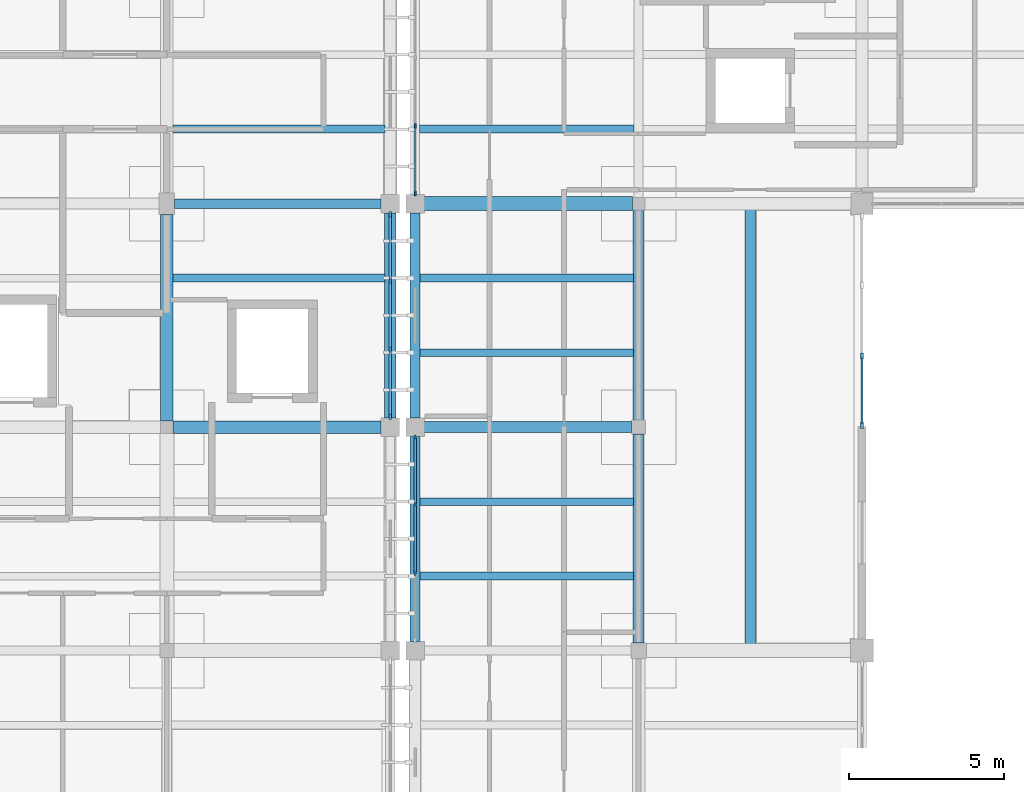
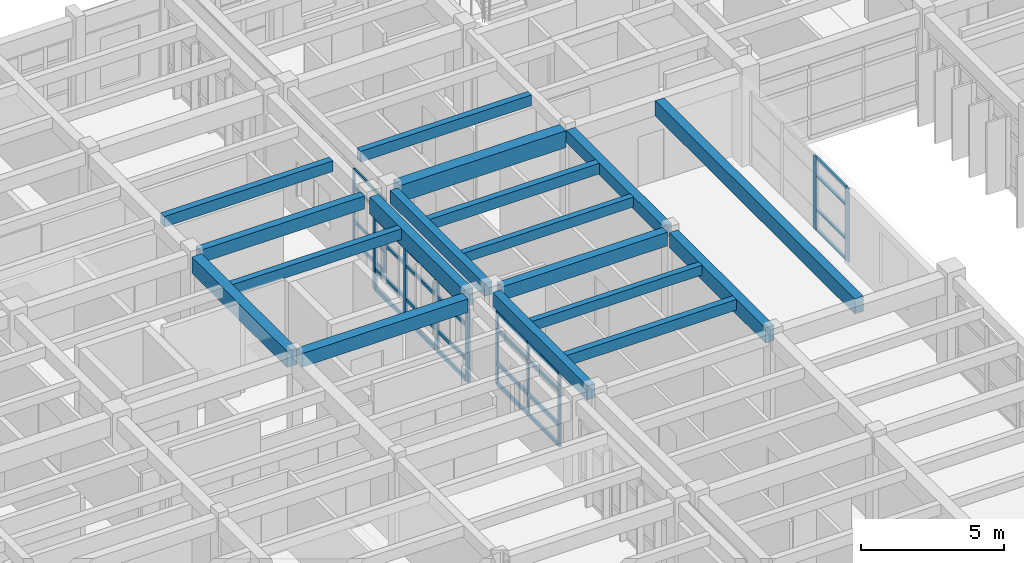
# One storey, part 20 of 100: 39 members, 18 beams, 4 elements without a shape of their own.
"""IFC4 building model written with IfcOpenShell, lengths in metres."""

from ifc_helpers import new_model, si_unit, direction, frame, origin, origin_2d, place, context, subcontext, project, spatial, rectangle, extrude, material, material_profile, profile_set, type_object, element, aggregate, save


model = new_model("IFC4")

# Units and contexts
model_context = context("Model", 3, precision=1e-05, world=origin(), true_north=direction((0.0, 1.0)))
body_context = subcontext(model_context, "Body", "Model", "MODEL_VIEW")
ifc_project = project(units=[si_unit("LENGTHUNIT", "METRE"), si_unit("AREAUNIT", "SQUARE_METRE"), si_unit("VOLUMEUNIT", "CUBIC_METRE"), si_unit("PLANEANGLEUNIT", "RADIAN"), si_unit("MASSUNIT", "GRAM", prefix="KILO")], contexts=[model_context])

# Site, building, storey
site_placement = place(None, origin())
site = spatial("IfcSite", under=ifc_project, at=site_placement, CompositionType="ELEMENT")
building_placement = place(site_placement, origin())
building = spatial("IfcBuilding", under=site, at=building_placement, Name="Steenspoor Specialist Clinic", CompositionType="ELEMENT")
storey_placement = place(building_placement, frame((0.0, 0.0, 9.0)))
storey = spatial("IfcBuildingStorey", under=building, at=storey_placement, Name="L02", CompositionType="ELEMENT", Elevation=9.0)

# Beams
ifc_material_1 = material(Name="Concrete C35/45", Category="concrete")
ifc_material_profile_1 = material_profile(ifc_material_1, rectangle(XDim=0.300048828125, YDim=0.550048828125, at=origin_2d()), Name="RC-BM-300X550")
ifc_profile_set_1 = profile_set([ifc_material_profile_1], Name="Concrete C35/45")
beam_type_1 = type_object("IfcBeamType", Name="BM-RC-300X550", PredefinedType="BEAM", material=ifc_profile_set_1)
beam_1_placement = place(storey_placement, frame((44.64501953125, 93.949951171875, 3.675048828125), z_axis=(1.0, 0.0, 0.0), x_axis=(0.0, 1.0, 0.0)))
element("IfcBeam", 1, at=beam_1_placement, inside=storey, type_object=beam_type_1, Name="BM-V5-L02-X1264", PredefinedType="BEAM", context=body_context, shape_type="SweptSolid", body=[
    extrude(rectangle(XDim=0.300048828125, YDim=0.550048828125, at=origin_2d()), origin(), (0.0, 0.0, 1.0), 6.659912109375),
])
ifc_material_profile_2 = material_profile(ifc_material_1, rectangle(XDim=0.35009765625, YDim=0.52001953125, at=origin_2d()), Name="RC-BM-350X520")
ifc_profile_set_2 = profile_set([ifc_material_profile_2], Name="Concrete C35/45")
beam_type_2 = type_object("IfcBeamType", Name="BM-RC-350X520", PredefinedType="BEAM", material=ifc_profile_set_2)
beam_2_placement = place(storey_placement, frame((59.60009765625, 86.969970703125, 3.68994140625), z_axis=(0.0, 1.0, 0.0), x_axis=(-1.0, 0.0, 0.0)))
element("IfcBeam", 2, at=beam_2_placement, inside=storey, type_object=beam_type_2, Name="BM-V4-L02-Y0694", PredefinedType="BEAM", context=body_context, shape_type="SweptSolid", body=[
    extrude(rectangle(XDim=0.35009765625, YDim=0.52001953125, at=origin_2d()), origin(), (0.0, 0.0, 1.0), 6.784912109375),
])
ifc_material_profile_3 = material_profile(ifc_material_1, rectangle(XDim=0.35009765625, YDim=0.580078125, at=origin_2d()), Name="RC-BM-350X580")
ifc_profile_set_3 = profile_set([ifc_material_profile_3], Name="Concrete C35/45")
beam_type_3 = type_object("IfcBeamType", Name="BM-RC-350X580", PredefinedType="BEAM", material=ifc_profile_set_3)
beam_3_placement = place(storey_placement, frame((52.695068359375, 86.75, 3.659912109375), z_axis=(1.0, 0.0, 0.0), x_axis=(0.0, 1.0, 0.0)))
element("IfcBeam", 3, at=beam_3_placement, inside=storey, type_object=beam_type_3, Name="BM-V4-L02-X0656", PredefinedType="BEAM", context=body_context, shape_type="SweptSolid", body=[
    extrude(rectangle(XDim=0.35009765625, YDim=0.580078125, at=origin_2d()), origin(), (0.0, 0.0, 1.0), 6.684814453125),
])
ifc_material_profile_4 = material_profile(ifc_material_1, rectangle(XDim=0.35009765625, YDim=0.64990234375, at=origin_2d()), Name="RC-BM-350X650")
ifc_profile_set_4 = profile_set([ifc_material_profile_4], Name="Concrete C35/45")
beam_type_4 = type_object("IfcBeamType", Name="BM-RC-350X650", PredefinedType="BEAM", material=ifc_profile_set_4)
beam_4_placement = place(storey_placement, frame((59.60009765625, 79.794921875, 3.625), z_axis=(0.0, 1.0, 0.0), x_axis=(-1.0, 0.0, 0.0)))
element("IfcBeam", 4, at=beam_4_placement, inside=storey, type_object=beam_type_4, Name="BM-V4-L02-Y0693", PredefinedType="BEAM", context=body_context, shape_type="SweptSolid", body=[
    extrude(rectangle(XDim=0.35009765625, YDim=0.64990234375, at=origin_2d()), origin(), (0.0, 0.0, 1.0), 6.735107421875),
])
beam_5_placement = place(storey_placement, frame((63.199951171875, 79.77001953125, 3.625), z_axis=(0.0, 1.0, 0.0), x_axis=(-1.0, 0.0, 0.0)))
element("IfcBeam", 5, at=beam_5_placement, inside=storey, type_object=beam_type_4, Name="JT-V4-L02-0753", PredefinedType="BEAM", context=body_context, shape_type="SweptSolid", body=[
    extrude(rectangle(XDim=0.35009765625, YDim=0.64990234375, at=origin_2d()), origin(), (0.0, 0.0, 1.0), 13.98486328125),
])
ifc_material_profile_5 = material_profile(ifc_material_1, rectangle(XDim=0.39990234375, YDim=0.580078125, at=origin_2d()), Name="RC-BM-400X580")
ifc_profile_set_5 = profile_set([ifc_material_profile_5], Name="Concrete C35/45")
beam_type_5 = type_object("IfcBeamType", Name="BM-RC-400X580", PredefinedType="BEAM", material=ifc_profile_set_5)
beam_6_placement = place(storey_placement, frame((44.594970703125, 86.75, 3.659912109375), z_axis=(1.0, 0.0, 0.0), x_axis=(0.0, 1.0, 0.0)))
element("IfcBeam", 6, at=beam_6_placement, inside=storey, type_object=beam_type_5, Name="BM-V5-L02-X1260", PredefinedType="BEAM", context=body_context, shape_type="SweptSolid", body=[
    extrude(rectangle(XDim=0.39990234375, YDim=0.580078125, at=origin_2d()), origin(), (0.0, 0.0, 1.0), 6.7099609375),
])
ifc_material_profile_6 = material_profile(ifc_material_1, rectangle(XDim=0.39990234375, YDim=0.699951171875, at=origin_2d()), Name="RC-BM-400X700")
ifc_profile_set_6 = profile_set([ifc_material_profile_6], Name="Concrete C35/45")
beam_type_6 = type_object("IfcBeamType", Name="BM-RC-400X700", PredefinedType="BEAM", material=ifc_profile_set_6)
beam_7_placement = place(storey_placement, frame((44.39990234375, 86.945068359375, 3.60009765625), z_axis=(0.0, 1.0, 0.0), x_axis=(-1.0, 0.0, 0.0)))
element("IfcBeam", 7, at=beam_7_placement, inside=storey, type_object=beam_type_6, Name="BM-V5-L02-Y1289", PredefinedType="BEAM", context=body_context, shape_type="SweptSolid", body=[
    extrude(rectangle(XDim=0.39990234375, YDim=0.699951171875, at=origin_2d()), origin(), (0.0, 0.0, 1.0), 6.659912109375),
])
ifc_material_profile_7 = material_profile(ifc_material_1, rectangle(XDim=0.449951171875, YDim=0.719970703125, at=origin_2d()), Name="RC-BM-450X720")
ifc_profile_set_7 = profile_set([ifc_material_profile_7], Name="Concrete C35/45")
beam_type_7 = type_object("IfcBeamType", Name="BM-RC-450X720", PredefinedType="BEAM", material=ifc_profile_set_7)
beam_8_placement = place(storey_placement, frame((52.695068359375, 93.949951171875, 3.590087890625), z_axis=(1.0, 0.0, 0.0), x_axis=(0.0, 1.0, 0.0)))
element("IfcBeam", 8, at=beam_8_placement, inside=storey, type_object=beam_type_7, Name="BM-V4-L02-X0661", PredefinedType="BEAM", context=body_context, shape_type="SweptSolid", body=[
    extrude(rectangle(XDim=0.449951171875, YDim=0.719970703125, at=origin_2d()), origin(), (0.0, 0.0, 1.0), 6.7099609375),
])

# Curtain wall, members
ifc_material_2 = material(Name="Thermally broken aluminium and low-emissivity glass", Category="aluminium")
curtain_wall_type_1 = type_object("IfcCurtainWallType", Name="CW-TYP-650X355", PredefinedType="USERDEFINED", material=ifc_material_2)
curtain_wall_1_placement = place(storey_placement, origin())
curtain_wall_1 = element("IfcCurtainWall", 9, at=curtain_wall_1_placement, inside=storey, type_object=curtain_wall_type_1, Name="Unitised Curtain Wall CW-V4-L02-082", ObjectType="UNITISED GLAZING", PredefinedType="USERDEFINED")
ifc_material_3 = material(Name="Thermally broken aluminium 6063-T6", Category="aluminium")
ifc_material_profile_8 = material_profile(ifc_material_3, rectangle(XDim=0.06005859375, YDim=0.135009765625, at=origin_2d()), Name="CWM-60X135")
ifc_profile_set_8 = profile_set([ifc_material_profile_8], Name="Thermally broken aluminium 6063-T6")
member_type_1 = type_object("IfcMemberType", Name="CW-MULL-60X135", PredefinedType="MULLION", material=ifc_profile_set_8)
member_1_placement = place(storey_placement, frame((52.39990234375, 94.280029296875, 0.0), z_axis=(0.0, 0.0, 1.0), x_axis=(-1.0, 0.0, 0.0)))
member_1 = element("IfcMember", 10, at=member_1_placement, type_object=member_type_1, Name="CW-10 mullion 1", PredefinedType="MULLION", context=body_context, shape_type="SweptSolid", body=[
    extrude(rectangle(XDim=0.06005859375, YDim=0.135009765625, at=origin_2d()), origin(), (0.0, 0.0, 1.0), 3.1298828125),
])
member_2_placement = place(storey_placement, frame((52.39990234375, 96.449951171875, 0.0), z_axis=(0.0, 0.0, 1.0), x_axis=(-1.0, 0.0, 0.0)))
member_2 = element("IfcMember", 11, at=member_2_placement, type_object=member_type_1, Name="CW-10 mullion 2", PredefinedType="MULLION", context=body_context, shape_type="SweptSolid", body=[
    extrude(rectangle(XDim=0.06005859375, YDim=0.135009765625, at=origin_2d()), origin(), (0.0, 0.0, 1.0), 3.1298828125),
])

curtain_wall_type_2 = type_object("IfcCurtainWallType", Name="CW-TYP-660X355", PredefinedType="USERDEFINED", material=ifc_material_2)
curtain_wall_2_placement = place(storey_placement, origin())
curtain_wall_2 = element("IfcCurtainWall", 12, at=curtain_wall_2_placement, inside=storey, type_object=curtain_wall_type_2, Name="Unitised Curtain Wall CW-V4-L02-105", ObjectType="UNITISED GLAZING", PredefinedType="USERDEFINED")
ifc_material_profile_9 = material_profile(ifc_material_3, rectangle(XDim=0.06494140625, YDim=0.14990234375, at=origin_2d()), Name="CWM-65X150")
ifc_profile_set_9 = profile_set([ifc_material_profile_9], Name="Thermally broken aluminium 6063-T6")
member_type_2 = type_object("IfcMemberType", Name="CW-MULL-65X150", PredefinedType="MULLION", material=ifc_profile_set_9)
member_3_placement = place(storey_placement, frame((52.39990234375, 82.050048828125, 0.0), z_axis=(0.0, 0.0, 1.0), x_axis=(-1.0, 0.0, 0.0)))
member_3 = element("IfcMember", 13, at=member_3_placement, type_object=member_type_2, Name="CW-09 mullion 2", PredefinedType="MULLION", context=body_context, shape_type="SweptSolid", body=[
    extrude(rectangle(XDim=0.06494140625, YDim=0.14990234375, at=origin_2d()), origin(), (0.0, 0.0, 1.0), 3.1298828125),
])
member_4_placement = place(storey_placement, frame((52.39990234375, 84.25, 0.0), z_axis=(0.0, 0.0, 1.0), x_axis=(-1.0, 0.0, 0.0)))
member_4 = element("IfcMember", 14, at=member_4_placement, type_object=member_type_2, Name="CW-09 mullion 3", PredefinedType="MULLION", context=body_context, shape_type="SweptSolid", body=[
    extrude(rectangle(XDim=0.06494140625, YDim=0.14990234375, at=origin_2d()), origin(), (0.0, 0.0, 1.0), 3.1298828125),
])
member_5_placement = place(storey_placement, frame((52.39990234375, 86.41748046875, 0.0), z_axis=(0.0, 0.0, 1.0), x_axis=(-1.0, 0.0, 0.0)))
member_5 = element("IfcMember", 15, at=member_5_placement, type_object=member_type_2, Name="CW-09 mullion 4", PredefinedType="MULLION", context=body_context, shape_type="SweptSolid", body=[
    extrude(rectangle(XDim=0.06494140625, YDim=0.14990234375, at=origin_2d()), origin(), (0.0, 0.0, 1.0), 3.1298828125),
])

curtain_wall_type_3 = type_object("IfcCurtainWallType", Name="CW-L00-650X415", PredefinedType="USERDEFINED", material=ifc_material_2)
curtain_wall_3_placement = place(storey_placement, origin())
curtain_wall_3 = element("IfcCurtainWall", 16, at=curtain_wall_3_placement, inside=storey, type_object=curtain_wall_type_3, Name="Unitised Curtain Wall CW-V4-L02-101", ObjectType="UNITISED GLAZING", PredefinedType="USERDEFINED")
ifc_material_profile_10 = material_profile(ifc_material_3, rectangle(XDim=0.090087890625, YDim=0.199951171875, at=origin_2d()), Name="CWM-90X200")
ifc_profile_set_10 = profile_set([ifc_material_profile_10], Name="Thermally broken aluminium 6063-T6")
member_type_3 = type_object("IfcMemberType", Name="CW-MULL-90X200", PredefinedType="MULLION", material=ifc_profile_set_10)
member_6_placement = place(storey_placement, frame((66.800048828125, 89.041748046875, 0.0), z_axis=(0.0, 0.0, 1.0), x_axis=(1.0, 0.0, 0.0)))
member_6 = element("IfcMember", 17, at=member_6_placement, type_object=member_type_3, Name="CW-05 mullion 3", PredefinedType="MULLION", context=body_context, shape_type="SweptSolid", body=[
    extrude(rectangle(XDim=0.090087890625, YDim=0.199951171875, at=origin_2d()), origin(), (0.0, 0.0, 1.0), 3.1298828125),
])
member_7_placement = place(storey_placement, frame((66.800048828125, 86.8076171875, 0.0), z_axis=(0.0, 0.0, 1.0), x_axis=(1.0, 0.0, 0.0)))
member_7 = element("IfcMember", 18, at=member_7_placement, type_object=member_type_3, Name="CW-05 mullion 4", PredefinedType="MULLION", context=body_context, shape_type="SweptSolid", body=[
    extrude(rectangle(XDim=0.090087890625, YDim=0.199951171875, at=origin_2d()), origin(), (0.0, 0.0, 1.0), 3.1298828125),
])

curtain_wall_type_4 = type_object("IfcCurtainWallType", Name="CW-TYP-540X355", PredefinedType="USERDEFINED", material=ifc_material_2)
curtain_wall_4_placement = place(storey_placement, origin())
curtain_wall_4 = element("IfcCurtainWall", 19, at=curtain_wall_4_placement, inside=storey, type_object=curtain_wall_type_4, Name="Unitised Curtain Wall CW-V5-L02-155", ObjectType="UNITISED GLAZING", PredefinedType="USERDEFINED")
member_8_placement = place(storey_placement, frame((51.60009765625, 93.60498046875, 0.0), z_axis=(0.0, 0.0, 1.0), x_axis=(1.0, 0.0, 0.0)))
member_8 = element("IfcMember", 20, at=member_8_placement, type_object=member_type_3, Name="CW-11 mullion 1", PredefinedType="MULLION", context=body_context, shape_type="SweptSolid", body=[
    extrude(rectangle(XDim=0.090087890625, YDim=0.199951171875, at=origin_2d()), origin(), (0.0, 0.0, 1.0), 3.1298828125),
])
member_9_placement = place(storey_placement, frame((51.60009765625, 91.449951171875, 0.0), z_axis=(0.0, 0.0, 1.0), x_axis=(1.0, 0.0, 0.0)))
member_9 = element("IfcMember", 21, at=member_9_placement, type_object=member_type_3, Name="CW-11 mullion 2", PredefinedType="MULLION", context=body_context, shape_type="SweptSolid", body=[
    extrude(rectangle(XDim=0.090087890625, YDim=0.199951171875, at=origin_2d()), origin(), (0.0, 0.0, 1.0), 3.1298828125),
])
member_10_placement = place(storey_placement, frame((51.60009765625, 89.25, 0.0), z_axis=(0.0, 0.0, 1.0), x_axis=(1.0, 0.0, 0.0)))
member_10 = element("IfcMember", 22, at=member_10_placement, type_object=member_type_3, Name="CW-11 mullion 3", PredefinedType="MULLION", context=body_context, shape_type="SweptSolid", body=[
    extrude(rectangle(XDim=0.090087890625, YDim=0.199951171875, at=origin_2d()), origin(), (0.0, 0.0, 1.0), 3.1298828125),
])
member_11_placement = place(storey_placement, frame((51.60009765625, 87.094970703125, 0.0), z_axis=(0.0, 0.0, 1.0), x_axis=(1.0, 0.0, 0.0)))
member_11 = element("IfcMember", 23, at=member_11_placement, type_object=member_type_3, Name="CW-11 mullion 4", PredefinedType="MULLION", context=body_context, shape_type="SweptSolid", body=[
    extrude(rectangle(XDim=0.090087890625, YDim=0.199951171875, at=origin_2d()), origin(), (0.0, 0.0, 1.0), 3.1298828125),
])

# Member
ifc_material_profile_11 = material_profile(ifc_material_3, rectangle(XDim=0.06494140625, YDim=0.1298828125, at=origin_2d()), Name="CWT-65X130")
ifc_profile_set_11 = profile_set([ifc_material_profile_11], Name="Thermally broken aluminium 6063-T6")
member_type_4 = type_object("IfcMemberType", Name="CW-TRAN-65X130", PredefinedType="USERDEFINED", material=ifc_profile_set_11)
member_12_placement = place(storey_placement, frame((52.39990234375, 94.31005859375, 0.032470703125), z_axis=(0.0, 1.0, 0.0), x_axis=(-1.0, 0.0, 0.0)))
member_12 = element("IfcMember", 24, at=member_12_placement, type_object=member_type_4, Name="CW-10 transom 1.1", ObjectType="TRANSOM", PredefinedType="USERDEFINED", context=body_context, shape_type="SweptSolid", body=[
    extrude(rectangle(XDim=0.06494140625, YDim=0.1298828125, at=origin_2d()), origin(), (0.0, 0.0, 1.0), 2.10986328125),
])

member_13_placement = place(storey_placement, frame((52.39990234375, 94.31005859375, 0.89990234375), z_axis=(0.0, 1.0, 0.0), x_axis=(-1.0, 0.0, 0.0)))
member_13 = element("IfcMember", 25, at=member_13_placement, type_object=member_type_4, Name="CW-10 transom 1.2", ObjectType="TRANSOM", PredefinedType="USERDEFINED", context=body_context, shape_type="SweptSolid", body=[
    extrude(rectangle(XDim=0.06494140625, YDim=0.1298828125, at=origin_2d()), origin(), (0.0, 0.0, 1.0), 2.10986328125),
])

member_14_placement = place(storey_placement, frame((52.39990234375, 94.31005859375, 2.35009765625), z_axis=(0.0, 1.0, 0.0), x_axis=(-1.0, 0.0, 0.0)))
member_14 = element("IfcMember", 26, at=member_14_placement, type_object=member_type_4, Name="CW-10 transom 1.3", ObjectType="TRANSOM", PredefinedType="USERDEFINED", context=body_context, shape_type="SweptSolid", body=[
    extrude(rectangle(XDim=0.06494140625, YDim=0.1298828125, at=origin_2d()), origin(), (0.0, 0.0, 1.0), 2.10986328125),
])

member_15_placement = place(storey_placement, frame((52.39990234375, 94.31005859375, 3.097412109375), z_axis=(0.0, 1.0, 0.0), x_axis=(-1.0, 0.0, 0.0)))
member_15 = element("IfcMember", 27, at=member_15_placement, type_object=member_type_4, Name="CW-10 transom 1.4", ObjectType="TRANSOM", PredefinedType="USERDEFINED", context=body_context, shape_type="SweptSolid", body=[
    extrude(rectangle(XDim=0.06494140625, YDim=0.1298828125, at=origin_2d()), origin(), (0.0, 0.0, 1.0), 2.10986328125),
])

aggregate(curtain_wall_1, [member_1, member_2, member_12, member_13, member_14, member_15])

ifc_material_profile_12 = material_profile(ifc_material_3, rectangle(XDim=0.070068359375, YDim=0.14501953125, at=origin_2d()), Name="CWT-70X145")
ifc_profile_set_12 = profile_set([ifc_material_profile_12], Name="Thermally broken aluminium 6063-T6")
member_type_5 = type_object("IfcMemberType", Name="CW-TRAN-70X145", PredefinedType="USERDEFINED", material=ifc_profile_set_12)
member_16_placement = place(storey_placement, frame((66.800048828125, 88.99658203125, 0.034912109375), z_axis=(0.0, -1.0, 0.0), x_axis=(1.0, 0.0, 0.0)))
member_16 = element("IfcMember", 28, at=member_16_placement, type_object=member_type_5, Name="CW-05 transom 3.1", ObjectType="TRANSOM", PredefinedType="USERDEFINED", context=body_context, shape_type="SweptSolid", body=[
    extrude(rectangle(XDim=0.070068359375, YDim=0.14501953125, at=origin_2d()), origin(), (0.0, 0.0, 1.0), 2.14404296875),
])

member_17_placement = place(storey_placement, frame((66.800048828125, 88.99658203125, 0.89990234375), z_axis=(0.0, -1.0, 0.0), x_axis=(1.0, 0.0, 0.0)))
member_17 = element("IfcMember", 29, at=member_17_placement, type_object=member_type_5, Name="CW-05 transom 3.2", ObjectType="TRANSOM", PredefinedType="USERDEFINED", context=body_context, shape_type="SweptSolid", body=[
    extrude(rectangle(XDim=0.070068359375, YDim=0.14501953125, at=origin_2d()), origin(), (0.0, 0.0, 1.0), 2.14404296875),
])

member_18_placement = place(storey_placement, frame((66.800048828125, 88.99658203125, 2.35009765625), z_axis=(0.0, -1.0, 0.0), x_axis=(1.0, 0.0, 0.0)))
member_18 = element("IfcMember", 30, at=member_18_placement, type_object=member_type_5, Name="CW-05 transom 3.3", ObjectType="TRANSOM", PredefinedType="USERDEFINED", context=body_context, shape_type="SweptSolid", body=[
    extrude(rectangle(XDim=0.070068359375, YDim=0.14501953125, at=origin_2d()), origin(), (0.0, 0.0, 1.0), 2.14404296875),
])

member_19_placement = place(storey_placement, frame((66.800048828125, 88.99658203125, 3.094970703125), z_axis=(0.0, -1.0, 0.0), x_axis=(1.0, 0.0, 0.0)))
member_19 = element("IfcMember", 31, at=member_19_placement, type_object=member_type_5, Name="CW-05 transom 3.4", ObjectType="TRANSOM", PredefinedType="USERDEFINED", context=body_context, shape_type="SweptSolid", body=[
    extrude(rectangle(XDim=0.070068359375, YDim=0.14501953125, at=origin_2d()), origin(), (0.0, 0.0, 1.0), 2.14404296875),
])

aggregate(curtain_wall_3, [member_6, member_7, member_16, member_17, member_18, member_19])

ifc_material_profile_13 = material_profile(ifc_material_3, rectangle(XDim=0.080078125, YDim=0.159912109375, at=origin_2d()), Name="CWT-80X160")
ifc_profile_set_13 = profile_set([ifc_material_profile_13], Name="Thermally broken aluminium 6063-T6")
member_type_6 = type_object("IfcMemberType", Name="CW-TRAN-80X160", PredefinedType="USERDEFINED", material=ifc_profile_set_13)
member_20_placement = place(storey_placement, frame((52.39990234375, 82.08251953125, 0.0400390625), z_axis=(0.0, 1.0, 0.0), x_axis=(-1.0, 0.0, 0.0)))
member_20 = element("IfcMember", 32, at=member_20_placement, type_object=member_type_6, Name="CW-09 transom 2.1", ObjectType="TRANSOM", PredefinedType="USERDEFINED", context=body_context, shape_type="SweptSolid", body=[
    extrude(rectangle(XDim=0.080078125, YDim=0.159912109375, at=origin_2d()), origin(), (0.0, 0.0, 1.0), 2.135009765625),
])

member_21_placement = place(storey_placement, frame((52.39990234375, 82.08251953125, 0.89990234375), z_axis=(0.0, 1.0, 0.0), x_axis=(-1.0, 0.0, 0.0)))
member_21 = element("IfcMember", 33, at=member_21_placement, type_object=member_type_6, Name="CW-09 transom 2.2", ObjectType="TRANSOM", PredefinedType="USERDEFINED", context=body_context, shape_type="SweptSolid", body=[
    extrude(rectangle(XDim=0.080078125, YDim=0.159912109375, at=origin_2d()), origin(), (0.0, 0.0, 1.0), 2.135009765625),
])

member_22_placement = place(storey_placement, frame((52.39990234375, 82.08251953125, 2.35009765625), z_axis=(0.0, 1.0, 0.0), x_axis=(-1.0, 0.0, 0.0)))
member_22 = element("IfcMember", 34, at=member_22_placement, type_object=member_type_6, Name="CW-09 transom 2.3", ObjectType="TRANSOM", PredefinedType="USERDEFINED", context=body_context, shape_type="SweptSolid", body=[
    extrude(rectangle(XDim=0.080078125, YDim=0.159912109375, at=origin_2d()), origin(), (0.0, 0.0, 1.0), 2.135009765625),
])

member_23_placement = place(storey_placement, frame((52.39990234375, 82.08251953125, 3.090087890625), z_axis=(0.0, 1.0, 0.0), x_axis=(-1.0, 0.0, 0.0)))
member_23 = element("IfcMember", 35, at=member_23_placement, type_object=member_type_6, Name="CW-09 transom 2.4", ObjectType="TRANSOM", PredefinedType="USERDEFINED", context=body_context, shape_type="SweptSolid", body=[
    extrude(rectangle(XDim=0.080078125, YDim=0.159912109375, at=origin_2d()), origin(), (0.0, 0.0, 1.0), 2.135009765625),
])

member_24_placement = place(storey_placement, frame((52.39990234375, 84.282470703125, 0.0400390625), z_axis=(0.0, 1.0, 0.0), x_axis=(-1.0, 0.0, 0.0)))
member_24 = element("IfcMember", 36, at=member_24_placement, type_object=member_type_6, Name="CW-09 transom 3.1", ObjectType="TRANSOM", PredefinedType="USERDEFINED", context=body_context, shape_type="SweptSolid", body=[
    extrude(rectangle(XDim=0.080078125, YDim=0.159912109375, at=origin_2d()), origin(), (0.0, 0.0, 1.0), 2.1025390625),
])

member_25_placement = place(storey_placement, frame((52.39990234375, 84.282470703125, 0.89990234375), z_axis=(0.0, 1.0, 0.0), x_axis=(-1.0, 0.0, 0.0)))
member_25 = element("IfcMember", 37, at=member_25_placement, type_object=member_type_6, Name="CW-09 transom 3.2", ObjectType="TRANSOM", PredefinedType="USERDEFINED", context=body_context, shape_type="SweptSolid", body=[
    extrude(rectangle(XDim=0.080078125, YDim=0.159912109375, at=origin_2d()), origin(), (0.0, 0.0, 1.0), 2.1025390625),
])

member_26_placement = place(storey_placement, frame((52.39990234375, 84.282470703125, 2.35009765625), z_axis=(0.0, 1.0, 0.0), x_axis=(-1.0, 0.0, 0.0)))
member_26 = element("IfcMember", 38, at=member_26_placement, type_object=member_type_6, Name="CW-09 transom 3.3", ObjectType="TRANSOM", PredefinedType="USERDEFINED", context=body_context, shape_type="SweptSolid", body=[
    extrude(rectangle(XDim=0.080078125, YDim=0.159912109375, at=origin_2d()), origin(), (0.0, 0.0, 1.0), 2.1025390625),
])

member_27_placement = place(storey_placement, frame((52.39990234375, 84.282470703125, 3.090087890625), z_axis=(0.0, 1.0, 0.0), x_axis=(-1.0, 0.0, 0.0)))
member_27 = element("IfcMember", 39, at=member_27_placement, type_object=member_type_6, Name="CW-09 transom 3.4", ObjectType="TRANSOM", PredefinedType="USERDEFINED", context=body_context, shape_type="SweptSolid", body=[
    extrude(rectangle(XDim=0.080078125, YDim=0.159912109375, at=origin_2d()), origin(), (0.0, 0.0, 1.0), 2.1025390625),
])

aggregate(curtain_wall_2, [member_3, member_4, member_5, member_20, member_21, member_22, member_23, member_24, member_25, member_26, member_27])

member_28_placement = place(storey_placement, frame((51.60009765625, 93.56005859375, 0.0400390625), z_axis=(0.0, -1.0, 0.0), x_axis=(1.0, 0.0, 0.0)))
member_28 = element("IfcMember", 40, at=member_28_placement, type_object=member_type_6, Name="CW-11 transom 1.1", ObjectType="TRANSOM", PredefinedType="USERDEFINED", context=body_context, shape_type="SweptSolid", body=[
    extrude(rectangle(XDim=0.080078125, YDim=0.159912109375, at=origin_2d()), origin(), (0.0, 0.0, 1.0), 2.06494140625),
])

member_29_placement = place(storey_placement, frame((51.60009765625, 93.56005859375, 0.89990234375), z_axis=(0.0, -1.0, 0.0), x_axis=(1.0, 0.0, 0.0)))
member_29 = element("IfcMember", 41, at=member_29_placement, type_object=member_type_6, Name="CW-11 transom 1.2", ObjectType="TRANSOM", PredefinedType="USERDEFINED", context=body_context, shape_type="SweptSolid", body=[
    extrude(rectangle(XDim=0.080078125, YDim=0.159912109375, at=origin_2d()), origin(), (0.0, 0.0, 1.0), 2.06494140625),
])

member_30_placement = place(storey_placement, frame((51.60009765625, 93.56005859375, 2.35009765625), z_axis=(0.0, -1.0, 0.0), x_axis=(1.0, 0.0, 0.0)))
member_30 = element("IfcMember", 42, at=member_30_placement, type_object=member_type_6, Name="CW-11 transom 1.3", ObjectType="TRANSOM", PredefinedType="USERDEFINED", context=body_context, shape_type="SweptSolid", body=[
    extrude(rectangle(XDim=0.080078125, YDim=0.159912109375, at=origin_2d()), origin(), (0.0, 0.0, 1.0), 2.06494140625),
])

member_31_placement = place(storey_placement, frame((51.60009765625, 93.56005859375, 3.090087890625), z_axis=(0.0, -1.0, 0.0), x_axis=(1.0, 0.0, 0.0)))
member_31 = element("IfcMember", 43, at=member_31_placement, type_object=member_type_6, Name="CW-11 transom 1.4", ObjectType="TRANSOM", PredefinedType="USERDEFINED", context=body_context, shape_type="SweptSolid", body=[
    extrude(rectangle(XDim=0.080078125, YDim=0.159912109375, at=origin_2d()), origin(), (0.0, 0.0, 1.0), 2.06494140625),
])

member_32_placement = place(storey_placement, frame((51.60009765625, 91.405029296875, 0.0400390625), z_axis=(0.0, -1.0, 0.0), x_axis=(1.0, 0.0, 0.0)))
member_32 = element("IfcMember", 44, at=member_32_placement, type_object=member_type_6, Name="CW-11 transom 2.1", ObjectType="TRANSOM", PredefinedType="USERDEFINED", context=body_context, shape_type="SweptSolid", body=[
    extrude(rectangle(XDim=0.080078125, YDim=0.159912109375, at=origin_2d()), origin(), (0.0, 0.0, 1.0), 2.110107421875),
])

member_33_placement = place(storey_placement, frame((51.60009765625, 91.405029296875, 0.89990234375), z_axis=(0.0, -1.0, 0.0), x_axis=(1.0, 0.0, 0.0)))
member_33 = element("IfcMember", 45, at=member_33_placement, type_object=member_type_6, Name="CW-11 transom 2.2", ObjectType="TRANSOM", PredefinedType="USERDEFINED", context=body_context, shape_type="SweptSolid", body=[
    extrude(rectangle(XDim=0.080078125, YDim=0.159912109375, at=origin_2d()), origin(), (0.0, 0.0, 1.0), 2.110107421875),
])

member_34_placement = place(storey_placement, frame((51.60009765625, 91.405029296875, 2.35009765625), z_axis=(0.0, -1.0, 0.0), x_axis=(1.0, 0.0, 0.0)))
member_34 = element("IfcMember", 46, at=member_34_placement, type_object=member_type_6, Name="CW-11 transom 2.3", ObjectType="TRANSOM", PredefinedType="USERDEFINED", context=body_context, shape_type="SweptSolid", body=[
    extrude(rectangle(XDim=0.080078125, YDim=0.159912109375, at=origin_2d()), origin(), (0.0, 0.0, 1.0), 2.110107421875),
])

member_35_placement = place(storey_placement, frame((51.60009765625, 91.405029296875, 3.090087890625), z_axis=(0.0, -1.0, 0.0), x_axis=(1.0, 0.0, 0.0)))
member_35 = element("IfcMember", 47, at=member_35_placement, type_object=member_type_6, Name="CW-11 transom 2.4", ObjectType="TRANSOM", PredefinedType="USERDEFINED", context=body_context, shape_type="SweptSolid", body=[
    extrude(rectangle(XDim=0.080078125, YDim=0.159912109375, at=origin_2d()), origin(), (0.0, 0.0, 1.0), 2.110107421875),
])

member_36_placement = place(storey_placement, frame((51.60009765625, 89.205078125, 0.0400390625), z_axis=(0.0, -1.0, 0.0), x_axis=(1.0, 0.0, 0.0)))
member_36 = element("IfcMember", 48, at=member_36_placement, type_object=member_type_6, Name="CW-11 transom 3.1", ObjectType="TRANSOM", PredefinedType="USERDEFINED", context=body_context, shape_type="SweptSolid", body=[
    extrude(rectangle(XDim=0.080078125, YDim=0.159912109375, at=origin_2d()), origin(), (0.0, 0.0, 1.0), 2.065185546875),
])

member_37_placement = place(storey_placement, frame((51.60009765625, 89.205078125, 0.89990234375), z_axis=(0.0, -1.0, 0.0), x_axis=(1.0, 0.0, 0.0)))
member_37 = element("IfcMember", 49, at=member_37_placement, type_object=member_type_6, Name="CW-11 transom 3.2", ObjectType="TRANSOM", PredefinedType="USERDEFINED", context=body_context, shape_type="SweptSolid", body=[
    extrude(rectangle(XDim=0.080078125, YDim=0.159912109375, at=origin_2d()), origin(), (0.0, 0.0, 1.0), 2.065185546875),
])

member_38_placement = place(storey_placement, frame((51.60009765625, 89.205078125, 2.35009765625), z_axis=(0.0, -1.0, 0.0), x_axis=(1.0, 0.0, 0.0)))
member_38 = element("IfcMember", 50, at=member_38_placement, type_object=member_type_6, Name="CW-11 transom 3.3", ObjectType="TRANSOM", PredefinedType="USERDEFINED", context=body_context, shape_type="SweptSolid", body=[
    extrude(rectangle(XDim=0.080078125, YDim=0.159912109375, at=origin_2d()), origin(), (0.0, 0.0, 1.0), 2.065185546875),
])

member_39_placement = place(storey_placement, frame((51.60009765625, 89.205078125, 3.090087890625), z_axis=(0.0, -1.0, 0.0), x_axis=(1.0, 0.0, 0.0)))
member_39 = element("IfcMember", 51, at=member_39_placement, type_object=member_type_6, Name="CW-11 transom 3.4", ObjectType="TRANSOM", PredefinedType="USERDEFINED", context=body_context, shape_type="SweptSolid", body=[
    extrude(rectangle(XDim=0.080078125, YDim=0.159912109375, at=origin_2d()), origin(), (0.0, 0.0, 1.0), 2.065185546875),
])

aggregate(curtain_wall_4, [member_8, member_9, member_10, member_11, member_28, member_29, member_30, member_31, member_32, member_33, member_34, member_35, member_36, member_37, member_38, member_39])

# Beams
ifc_material_profile_14 = material_profile(ifc_material_1, rectangle(XDim=0.239990234375, YDim=0.419921875, at=origin_2d()), Name="RC-JT-240X420")
ifc_profile_set_14 = profile_set([ifc_material_profile_14], Name="Concrete C35/45")
beam_type_8 = type_object("IfcBeamType", Name="JT-RC-240X420", PredefinedType="JOIST", material=ifc_profile_set_14)
for number, where, z_axis, x_axis, name in (
    (52, (52.554931640625, 84.35009765625, 3.739990234375), (1.0, 0.0, 0.0), (0.0, 1.0, 0.0), "JT-V4-L02-0742"),
    (53, (52.554931640625, 89.14990234375, 3.739990234375), (1.0, 0.0, 0.0), (0.0, 1.0, 0.0), "JT-V4-L02-0743"),
):
    element("IfcBeam", number, at=place(storey_placement, frame(where, z_axis=z_axis, x_axis=x_axis)), inside=storey, type_object=beam_type_8, Name=name, PredefinedType="JOIST", context=body_context, shape_type="SweptSolid", body=[
        extrude(rectangle(XDim=0.239990234375, YDim=0.419921875, at=origin_2d()), origin(), (0.0, 0.0, 1.0), 6.875),
    ])
ifc_material_profile_15 = material_profile(ifc_material_1, rectangle(XDim=0.260009765625, YDim=0.4599609375, at=origin_2d()), Name="RC-JT-260X460")
ifc_profile_set_15 = profile_set([ifc_material_profile_15], Name="Concrete C35/45")
beam_type_9 = type_object("IfcBeamType", Name="JT-RC-260X460", PredefinedType="JOIST", material=ifc_profile_set_15)
for number, where, z_axis, x_axis, name in (
    (54, (52.554931640625, 81.949951171875, 3.719970703125), (1.0, 0.0, 0.0), (0.0, 1.0, 0.0), "JT-V4-L02-0741"),
    (55, (52.554931640625, 91.550048828125, 3.719970703125), (1.0, 0.0, 0.0), (0.0, 1.0, 0.0), "JT-V4-L02-0744"),
):
    element("IfcBeam", number, at=place(storey_placement, frame(where, z_axis=z_axis, x_axis=x_axis)), inside=storey, type_object=beam_type_9, Name=name, PredefinedType="JOIST", context=body_context, shape_type="SweptSolid", body=[
        extrude(rectangle(XDim=0.260009765625, YDim=0.4599609375, at=origin_2d()), origin(), (0.0, 0.0, 1.0), 6.875),
    ])
beam_9_placement = place(storey_placement, frame((52.534912109375, 96.35009765625, 3.719970703125), z_axis=(1.0, 0.0, 0.0), x_axis=(0.0, 1.0, 0.0)))
element("IfcBeam", 56, at=beam_9_placement, inside=storey, type_object=beam_type_9, Name="JT-V4-L02-0745", PredefinedType="JOIST", context=body_context, shape_type="SweptSolid", body=[
    extrude(rectangle(XDim=0.260009765625, YDim=0.4599609375, at=origin_2d()), origin(), (0.0, 0.0, 1.0), 6.920166015625),
])
for number, where, z_axis, x_axis, name in (
    (57, (44.594970703125, 91.550048828125, 3.719970703125), (1.0, 0.0, 0.0), (0.0, 1.0, 0.0), "JT-V5-L02-1331"),
    (58, (44.594970703125, 96.35009765625, 3.719970703125), (1.0, 0.0, 0.0), (0.0, 1.0, 0.0), "JT-V5-L02-1332"),
):
    element("IfcBeam", number, at=place(storey_placement, frame(where, z_axis=z_axis, x_axis=x_axis)), inside=storey, type_object=beam_type_9, Name=name, PredefinedType="JOIST", context=body_context, shape_type="SweptSolid", body=[
        extrude(rectangle(XDim=0.260009765625, YDim=0.4599609375, at=origin_2d()), origin(), (0.0, 0.0, 1.0), 6.830078125),
    ])
ifc_material_profile_16 = material_profile(ifc_material_1, rectangle(XDim=0.320068359375, YDim=0.5400390625, at=origin_2d()), Name="RC-SP-320X540")
ifc_profile_set_16 = profile_set([ifc_material_profile_16], Name="Concrete C35/45")
beam_type_10 = type_object("IfcBeamType", Name="SP-RC-320X540", PredefinedType="SPANDREL", material=ifc_profile_set_16)
beam_10_placement = place(storey_placement, frame((52.39990234375, 87.044921875, 3.679931640625), z_axis=(0.0, 1.0, 0.0), x_axis=(-1.0, 0.0, 0.0)))
element("IfcBeam", 59, at=beam_10_placement, inside=storey, type_object=beam_type_10, Name="BM-V4-L02-Y0688", PredefinedType="SPANDREL", context=body_context, shape_type="SweptSolid", body=[
    extrude(rectangle(XDim=0.320068359375, YDim=0.5400390625, at=origin_2d()), origin(), (0.0, 0.0, 1.0), 6.610107421875),
])
ifc_material_profile_17 = material_profile(ifc_material_1, rectangle(XDim=0.320068359375, YDim=0.60009765625, at=origin_2d()), Name="RC-SP-320X600")
ifc_profile_set_17 = profile_set([ifc_material_profile_17], Name="Concrete C35/45")
beam_type_11 = type_object("IfcBeamType", Name="SP-RC-320X600", PredefinedType="SPANDREL", material=ifc_profile_set_17)
beam_11_placement = place(storey_placement, frame((52.39990234375, 79.844970703125, 3.64990234375), z_axis=(0.0, 1.0, 0.0), x_axis=(-1.0, 0.0, 0.0)))
element("IfcBeam", 60, at=beam_11_placement, inside=storey, type_object=beam_type_11, Name="BM-V4-L02-Y0687", PredefinedType="SPANDREL", context=body_context, shape_type="SweptSolid", body=[
    extrude(rectangle(XDim=0.320068359375, YDim=0.60009765625, at=origin_2d()), origin(), (0.0, 0.0, 1.0), 6.610107421875),
])
ifc_material_profile_18 = material_profile(ifc_material_1, rectangle(XDim=0.360107421875, YDim=0.719970703125, at=origin_2d()), Name="RC-SP-360X720")
ifc_profile_set_18 = profile_set([ifc_material_profile_18], Name="Concrete C35/45")
beam_type_12 = type_object("IfcBeamType", Name="SP-RC-360X720", PredefinedType="SPANDREL", material=ifc_profile_set_18)
beam_12_placement = place(storey_placement, frame((51.60009765625, 87.044921875, 3.590087890625), z_axis=(0.0, 1.0, 0.0), x_axis=(-1.0, 0.0, 0.0)))
element("IfcBeam", 61, at=beam_12_placement, inside=storey, type_object=beam_type_12, Name="BM-V5-L02-Y1295", PredefinedType="SPANDREL", context=body_context, shape_type="SweptSolid", body=[
    extrude(rectangle(XDim=0.360107421875, YDim=0.719970703125, at=origin_2d()), origin(), (0.0, 0.0, 1.0), 6.610107421875),
])

save(model, "model.ifc")
